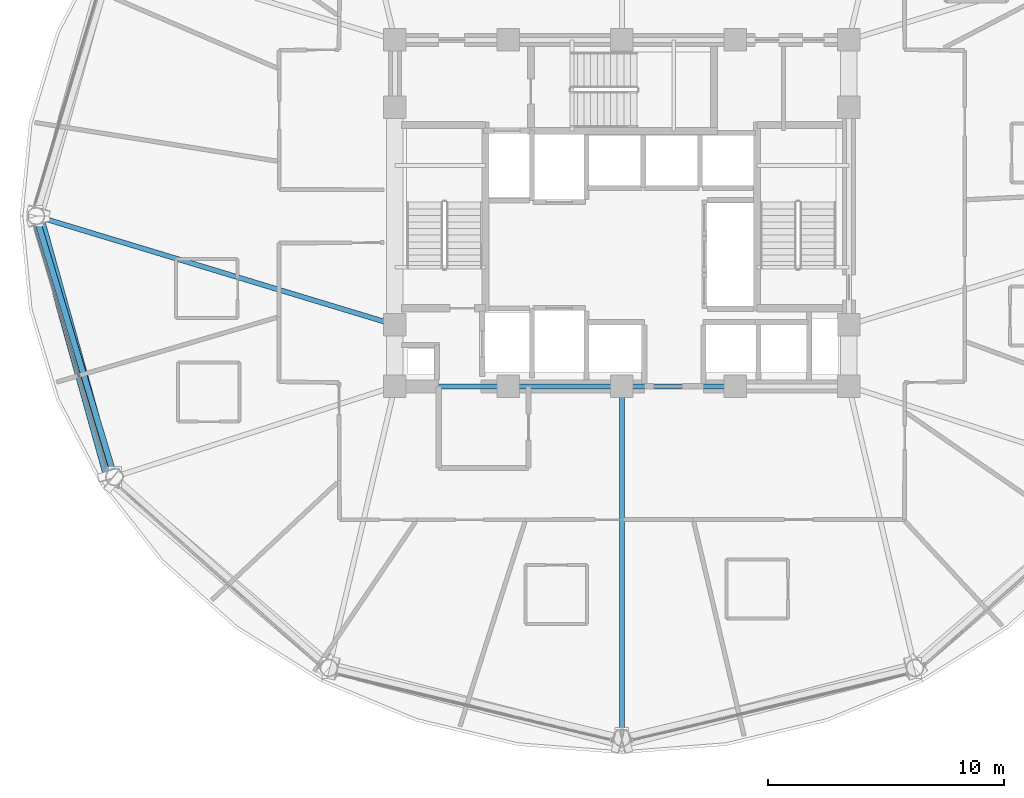
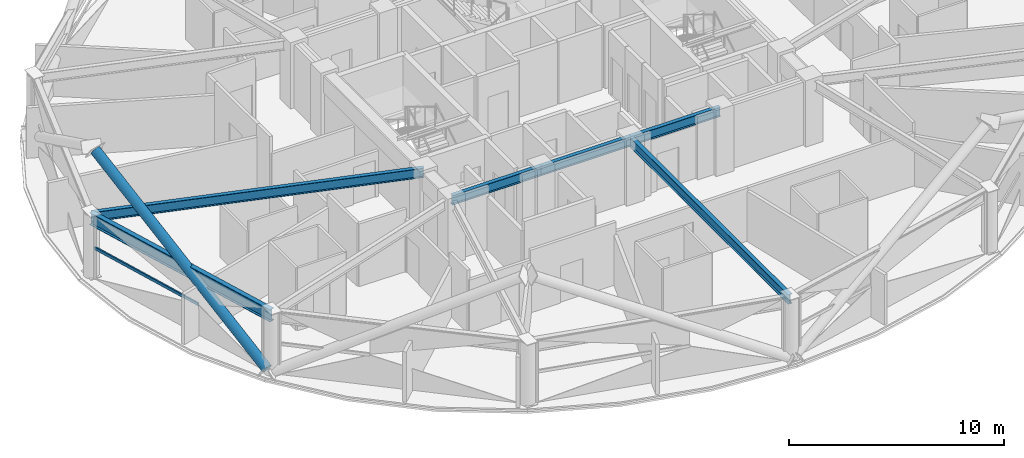
# One storey, part 5 of 29: 6 beams, 2 members, 1 element without a shape of its own.
"""IFC4 building model written with IfcOpenShell, lengths in metres."""

from ifc_helpers import new_model, si_unit, direction, frame, origin, origin_2d, place, context, subcontext, project, spatial, hollow_rectangle, hollow_circle, i_section, extrude, material, layer, layer_set, material_profile, profile_set, type_object, element, aggregate, save


model = new_model("IFC4")

# Units and contexts
model_context = context("Model", 3, precision=1e-05, world=origin(), true_north=direction((0.0, 1.0)))
body_context = subcontext(model_context, "Body", "Model", "MODEL_VIEW")
ifc_project = project(units=[si_unit("LENGTHUNIT", "METRE"), si_unit("AREAUNIT", "SQUARE_METRE"), si_unit("VOLUMEUNIT", "CUBIC_METRE"), si_unit("PLANEANGLEUNIT", "RADIAN"), si_unit("MASSUNIT", "GRAM", prefix="KILO")], contexts=[model_context])

# Site, building, storey
site_placement = place(None, origin())
site = spatial("IfcSite", under=ifc_project, at=site_placement, CompositionType="ELEMENT")
building_placement = place(site_placement, origin())
building = spatial("IfcBuilding", under=site, at=building_placement, Name="Vantalir Tower", CompositionType="ELEMENT")
storey_placement = place(building_placement, frame((0.0, 0.0, 157.199951171875)))
storey = spatial("IfcBuildingStorey", under=building, at=storey_placement, Name="L39", CompositionType="ELEMENT", Elevation=157.199951171875)

# Beams
ifc_material_1 = material(Name="Steel S355", Category="steel")
ifc_material_profile_1 = material_profile(ifc_material_1, i_section(OverallWidth=0.2109375, OverallDepth=0.5390625, WebThickness=0.01171875, FlangeThickness=0.018798828125, at=origin_2d()), Name="Steel S355")
ifc_profile_set_1 = profile_set([ifc_material_profile_1], Name="Steel S355")
beam_type_1 = type_object("IfcBeamType", Name="BM-RB-533x210", PredefinedType="BEAM", material=ifc_profile_set_1)
for number, where, z_axis, x_axis, name in (
    (1, (21.89990234375, 17.800048828125, 3.301025390625), (1.0, 0.0, 0.0), (0.0, 1.0, 0.0), "L39 Core Coupling Girder 01"),
    (2, (26.699951171875, 17.800048828125, 3.301025390625), (1.0, 0.0, 0.0), (0.0, 1.0, 0.0), "L39 Core Coupling Girder 02"),
    (3, (31.5, 17.800048828125, 3.301025390625), (1.0, 0.0, 0.0), (0.0, 1.0, 0.0), "L39 Core Coupling Girder 03"),
):
    element("IfcBeam", number, at=place(storey_placement, frame(where, z_axis=z_axis, x_axis=x_axis)), inside=storey, type_object=beam_type_1, Name=name, PredefinedType="BEAM", context=body_context, shape_type="SweptSolid", body=[
        extrude(i_section(OverallWidth=0.2109375, OverallDepth=0.5390625, WebThickness=0.01171875, FlangeThickness=0.018798828125, at=origin_2d()), origin(), (0.0, 0.0, 1.0), 4.800048828125),
    ])
beam_1_placement = place(storey_placement, frame((6.717041015625, 25.0, 3.301025390625), z_axis=(0.957037864084, -0.289962974723, 0.0), x_axis=(0.289962974723, 0.957037864084, 0.0)))
element("IfcBeam", 4, at=beam_1_placement, inside=storey, type_object=beam_type_1, Name="L39 Radial Floor Beam 07", PredefinedType="BEAM", context=body_context, shape_type="SweptSolid", body=[
    extrude(i_section(OverallWidth=0.2109375, OverallDepth=0.5390625, WebThickness=0.01171875, FlangeThickness=0.018798828125, at=origin_2d()), origin(), (0.0, 0.0, 1.0), 15.864501953125),
])
beam_2_placement = place(storey_placement, frame((31.5, 2.930908203125, 3.301025390625), z_axis=(0.0, 1.0, 0.0), x_axis=(-1.0, 0.0, 0.0)))
element("IfcBeam", 5, at=beam_2_placement, inside=storey, type_object=beam_type_1, Name="L39 Radial Floor Beam 10", PredefinedType="BEAM", context=body_context, shape_type="SweptSolid", body=[
    extrude(i_section(OverallWidth=0.2109375, OverallDepth=0.5390625, WebThickness=0.01171875, FlangeThickness=0.018798828125, at=origin_2d()), origin(), (0.0, 0.0, 1.0), 14.869140625),
])
ifc_material_2 = material(Name="Steel S460", Category="steel")
ifc_material_profile_2 = material_profile(ifc_material_2, i_section(OverallWidth=0.256103515625, OverallDepth=0.693115234375, WebThickness=0.014404296875, FlangeThickness=0.023681640625, at=origin_2d()), Name="Steel S460")
ifc_profile_set_2 = profile_set([ifc_material_profile_2], Name="Steel S460")
beam_type_2 = type_object("IfcBeamType", Name="BM-RG-686x254", PredefinedType="USERDEFINED", material=ifc_profile_set_2)
beam_3_placement = place(storey_placement, frame((6.717041015625, 25.0, 3.22412109375), z_axis=(0.288111665009, -0.95759681938, 0.0), x_axis=(0.95759681938, 0.288111665009, 0.0)))
element("IfcBeam", 6, at=beam_3_placement, inside=storey, type_object=beam_type_2, Name="L39 Circumferential Ring Girder 07", ObjectType="GIRDER", PredefinedType="USERDEFINED", context=body_context, shape_type="SweptSolid", body=[
    extrude(i_section(OverallWidth=0.256103515625, OverallDepth=0.693115234375, WebThickness=0.014404296875, FlangeThickness=0.023681640625, at=origin_2d()), origin(), (0.0, 0.0, 1.0), 11.5234375),
])

# Curtain wall, member
ifc_material_3 = material(Name="Champagne-silver PVDF aluminium and double-silver Low-E glass", Category="aluminium")
ifc_layer = layer(ifc_material_3, 0.199951171875)
ifc_layer_set = layer_set([ifc_layer], Name="Champagne-silver PVDF aluminium and double-silver Low-E glass")
curtain_wall_type = type_object("IfcCurtainWallType", Name="CW-DIAMOND-Z2", PredefinedType="USERDEFINED", material=ifc_layer_set)
curtain_wall_placement = place(storey_placement, origin())
curtain_wall = element("IfcCurtainWall", 7, at=curtain_wall_placement, inside=storey, type_object=curtain_wall_type, Name="L39 Quilted Pyramid-Diamond Curtain Wall S07", ObjectType="UNITISED CURTAIN WALL", PredefinedType="USERDEFINED")
ifc_material_4 = material(Name="Champagne-silver PVDF aluminium 6063-T6", Category="aluminium")
ifc_material_profile_3 = material_profile(ifc_material_4, hollow_rectangle(XDim=0.074951171875, YDim=0.159912109375, WallThickness=0.00390625, at=origin_2d()), Name="Champagne-silver PVDF aluminium 6063-T6")
ifc_profile_set_3 = profile_set([ifc_material_profile_3], Name="Champagne-silver PVDF aluminium 6063-T6")
member_type_1 = type_object("IfcMemberType", Name="CWT-160x75", PredefinedType="USERDEFINED", material=ifc_profile_set_3)
member_1_placement = place(storey_placement, frame((6.654052734375, 24.5791015625, 1.78515625), z_axis=(0.284390360169, -0.958708570444, 0.0), x_axis=(0.958708570444, 0.284390360169, 0.0)))
member_1 = element("IfcMember", 8, at=member_1_placement, type_object=member_type_1, Name="CW-L39-S07 Pyramid Fold Ridge Transom", ObjectType="TRANSOM", PredefinedType="USERDEFINED", context=body_context, shape_type="SweptSolid", body=[
    extrude(hollow_rectangle(XDim=0.074951171875, YDim=0.159912109375, WallThickness=0.00390625, at=origin_2d()), origin(), (0.0, 0.0, 1.0), 6.659912109375),
])
aggregate(curtain_wall, [member_1])

# Member
ifc_material_profile_4 = material_profile(ifc_material_2, hollow_circle(Radius=0.260009765625, WallThickness=0.0380859375, at=origin_2d()), Name="Steel S460")
ifc_profile_set_4 = profile_set([ifc_material_profile_4], Name="Steel S460")
member_type_2 = type_object("IfcMemberType", Name="MEM-DB-520x38", PredefinedType="BRACE", material=ifc_profile_set_4)
member_2_placement = place(storey_placement, frame((9.822998046875, 14.050048828125, 0.196044921875), z_axis=(-0.228021844573, 0.818866464628, 0.526748280971), x_axis=(-0.963348145595, -0.268254264417, 0.0)))
element("IfcMember", 9, at=member_2_placement, inside=storey, type_object=member_type_2, Name="L39 Perimeter S460 Diagrid Brace R22R", PredefinedType="BRACE", context=body_context, shape_type="SweptSolid", body=[
    extrude(hollow_circle(Radius=0.260009765625, WallThickness=0.0380859375, at=origin_2d()), origin(), (0.0, 0.0, 1.0), 13.15234375),
])

save(model, "model.ifc")
